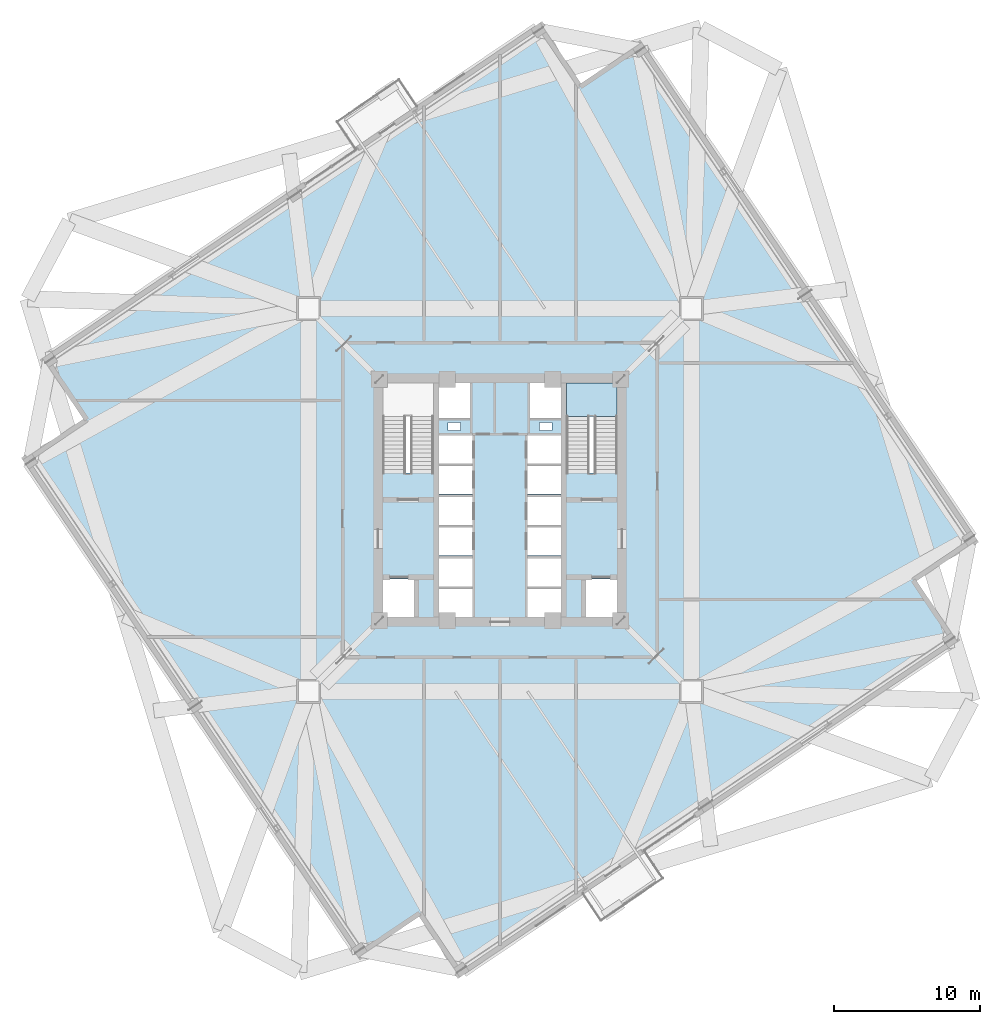
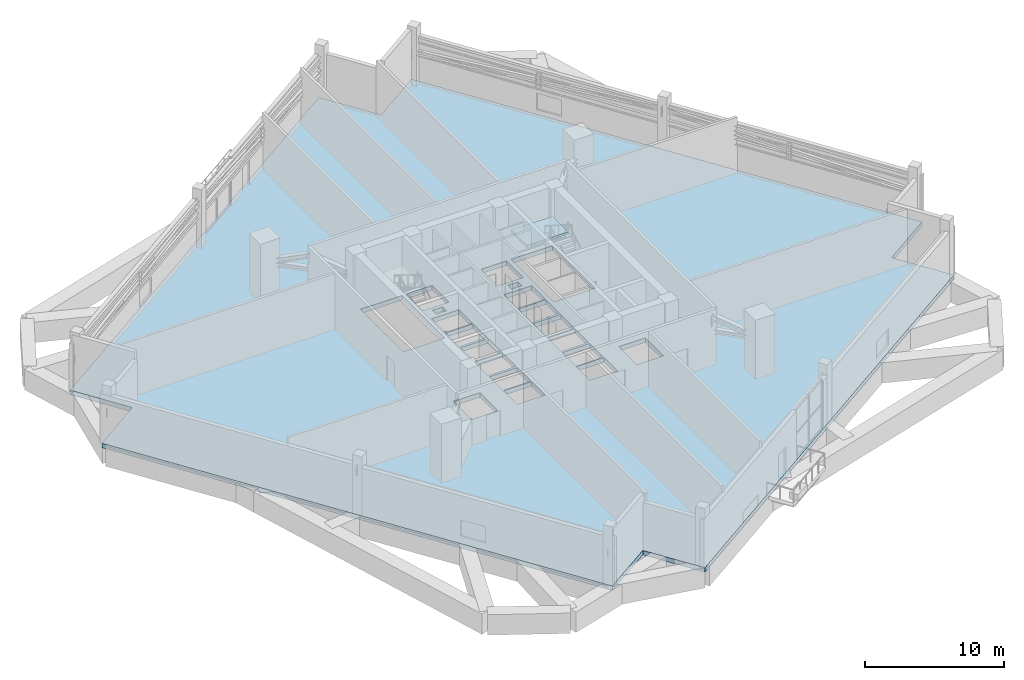
# One storey, part 14 of 21: 2 slabs, 1 element without a shape of its own.
"""IFC4 building model written with IfcOpenShell, lengths in metres."""

from ifc_helpers import new_model, si_unit, direction, frame, origin, place, context, subcontext, project, spatial, polyline, outline, extrude, material, layer, layer_set, type_object, element, aggregate, save


model = new_model("IFC4")

# Units and contexts
model_context = context("Model", 3, precision=1e-05, world=origin(), true_north=direction((0.0, 1.0)))
body_context = subcontext(model_context, "Body", "Model", "MODEL_VIEW")
ifc_project = project(units=[si_unit("LENGTHUNIT", "METRE"), si_unit("AREAUNIT", "SQUARE_METRE"), si_unit("VOLUMEUNIT", "CUBIC_METRE"), si_unit("PLANEANGLEUNIT", "RADIAN"), si_unit("MASSUNIT", "GRAM", prefix="KILO"), si_unit("THERMODYNAMICTEMPERATUREUNIT", "KELVIN")], contexts=[model_context])

# Site, building, storey
site_placement = place(None, origin())
site = spatial("IfcSite", under=ifc_project, at=site_placement, CompositionType="ELEMENT")
building_placement = place(site_placement, origin())
building = spatial("IfcBuilding", under=site, at=building_placement, Name="Kosmvard Interchange Tower", CompositionType="ELEMENT")
storey_placement = place(building_placement, frame((0.0, 0.0, 139.199951171875)))
storey = spatial("IfcBuildingStorey", under=building, at=storey_placement, Name="L33", CompositionType="ELEMENT", Elevation=139.199951171875)

# Slab
ifc_material_1 = material(Name="Concrete C60/75", Category="concrete")
ifc_layer_1 = layer(ifc_material_1, 0.39990234375, Name="Concrete C60/75")
ifc_layer_set_1 = layer_set([ifc_layer_1], Name="Concrete C60/75")
slab_type_1 = type_object("IfcSlabType", Name="Concourse & Transfer Structural Slab 400 C60/75", PredefinedType="FLOOR", material=ifc_layer_set_1)
slab_1_placement = place(storey_placement, frame((0.0, 0.0, -0.39990234375)))
element("IfcSlab", 1, at=slab_1_placement, inside=storey, type_object=slab_type_1, Name="L33 Structural Floor Slab", PredefinedType="FLOOR", context=body_context, shape_type="SweptSolid", body=[
    extrude(outline(polyline([(-2.73583984375, -32.60400390625), (31.254638671875, -9.677001953125), (28.458740234375, -5.53173828125), (32.60400390625, -2.73583984375), (9.677001953125, 31.254638671875), (5.53173828125, 28.458740234375), (2.73583984375, 32.60400390625), (-31.254638671875, 9.677001953125), (-28.458740234375, 5.53173828125), (-32.60400390625, 2.73583984375), (-9.677001953125, -31.254638671875), (-5.53173828125, -28.458740234375), (-2.73583984375, -32.60400390625)]), holes=[polyline([(-8.0, 1.8349609375), (-4.5400390625, 1.8349609375), (-4.5400390625, 8.0), (-8.0, 8.0), (-8.0, 1.8349609375)]), polyline([(4.5400390625, 1.8349609375), (8.0, 1.8349609375), (8.0, 8.0), (4.5400390625, 8.0), (4.5400390625, 1.8349609375)]), polyline([(-8.0, -8.0), (-5.800048828125, -8.0), (-5.800048828125, -5.39990234375), (-8.0, -5.39990234375), (-8.0, -8.0)]), polyline([(5.800048828125, -8.0), (8.0, -8.0), (8.0, -5.39990234375), (5.800048828125, -5.39990234375), (5.800048828125, -8.0)]), polyline([(-4.179931640625, -8.0), (-1.8798828125, -8.0), (-1.8798828125, -6.06005859375), (-4.179931640625, -6.06005859375), (-4.179931640625, -8.0)]), polyline([(-4.179931640625, -5.93994140625), (-1.8798828125, -5.93994140625), (-1.8798828125, -4.0), (-4.179931640625, -4.0), (-4.179931640625, -5.93994140625)]), polyline([(1.8798828125, -8.0), (4.179931640625, -8.0), (4.179931640625, -6.06005859375), (1.8798828125, -6.06005859375), (1.8798828125, -8.0)]), polyline([(1.8798828125, -5.93994140625), (4.179931640625, -5.93994140625), (4.179931640625, -4.0), (1.8798828125, -4.0), (1.8798828125, -5.93994140625)]), polyline([(-4.179931640625, -3.800048828125), (-1.8798828125, -3.800048828125), (-1.8798828125, -1.860107421875), (-4.179931640625, -1.860107421875), (-4.179931640625, -3.800048828125)]), polyline([(-4.179931640625, -1.739990234375), (-1.8798828125, -1.739990234375), (-1.8798828125, 0.199951171875), (-4.179931640625, 0.199951171875), (-4.179931640625, -1.739990234375)]), polyline([(1.8798828125, -3.800048828125), (4.179931640625, -3.800048828125), (4.179931640625, -1.860107421875), (1.8798828125, -1.860107421875), (1.8798828125, -3.800048828125)]), polyline([(1.8798828125, -1.739990234375), (4.179931640625, -1.739990234375), (4.179931640625, 0.199951171875), (1.8798828125, 0.199951171875), (1.8798828125, -1.739990234375)]), polyline([(-4.179931640625, 0.39990234375), (-1.8798828125, 0.39990234375), (-1.8798828125, 2.340087890625), (-4.179931640625, 2.340087890625), (-4.179931640625, 0.39990234375)]), polyline([(-4.179931640625, 2.4599609375), (-1.8798828125, 2.4599609375), (-1.8798828125, 4.39990234375), (-4.179931640625, 4.39990234375), (-4.179931640625, 2.4599609375)]), polyline([(1.8798828125, 0.39990234375), (4.179931640625, 0.39990234375), (4.179931640625, 2.340087890625), (1.8798828125, 2.340087890625), (1.8798828125, 0.39990234375)]), polyline([(1.8798828125, 2.4599609375), (4.179931640625, 2.4599609375), (4.179931640625, 4.39990234375), (1.8798828125, 4.39990234375), (1.8798828125, 2.4599609375)]), polyline([(-4.179931640625, 5.60009765625), (-2.0400390625, 5.60009765625), (-2.0400390625, 8.0), (-4.179931640625, 8.0), (-4.179931640625, 5.60009765625)]), polyline([(2.0400390625, 5.60009765625), (4.179931640625, 5.60009765625), (4.179931640625, 8.0), (2.0400390625, 8.0), (2.0400390625, 5.60009765625)]), polyline([(-3.56494140625, 4.739990234375), (-2.715087890625, 4.739990234375), (-2.715087890625, 5.2900390625), (-3.56494140625, 5.2900390625), (-3.56494140625, 4.739990234375)]), polyline([(2.715087890625, 4.739990234375), (3.56494140625, 4.739990234375), (3.56494140625, 5.2900390625), (2.715087890625, 5.2900390625), (2.715087890625, 4.739990234375)])]), origin(), (0.0, 0.0, 1.0), 0.39990234375),
])

# Stair, slab
ifc_material_2 = material(Name="Concrete C50/60", Category="concrete")
stair_type = type_object("IfcStairType", Name="Dog-Leg Core Exit Stair H5200 C50/60", PredefinedType="HALF_TURN_STAIR", material=ifc_material_2)
stair_placement = place(storey_placement, origin())
stair = element("IfcStair", 2, at=stair_placement, inside=storey, type_object=stair_type, Name="L33 Protected Exit Stair ST-2", PredefinedType="HALF_TURN_STAIR")
ifc_layer_2 = layer(ifc_material_2, 0.199951171875, Name="Concrete C50/60")
ifc_layer_set_2 = layer_set([ifc_layer_2], Name="Concrete C50/60")
slab_type_2 = type_object("IfcSlabType", Name="Stair Half-Landing Slab 200 C50/60", PredefinedType="LANDING", material=ifc_layer_set_2)
slab_2_placement = place(storey_placement, frame((0.0, 0.0, 2.400146484375)))
slab_2 = element("IfcSlab", 3, at=slab_2_placement, type_object=slab_type_2, Name="ST-2 landing 1", PredefinedType="LANDING", context=body_context, shape_type="SweptSolid", body=[
    extrude(outline(polyline([(8.0, 5.719970703125), (8.0, 8.0), (4.5400390625, 8.0), (4.5400390625, 5.719970703125), (8.0, 5.719970703125)])), origin(), (0.0, 0.0, 1.0), 0.199951171875),
])
aggregate(stair, [slab_2])

save(model, "model.ifc")
